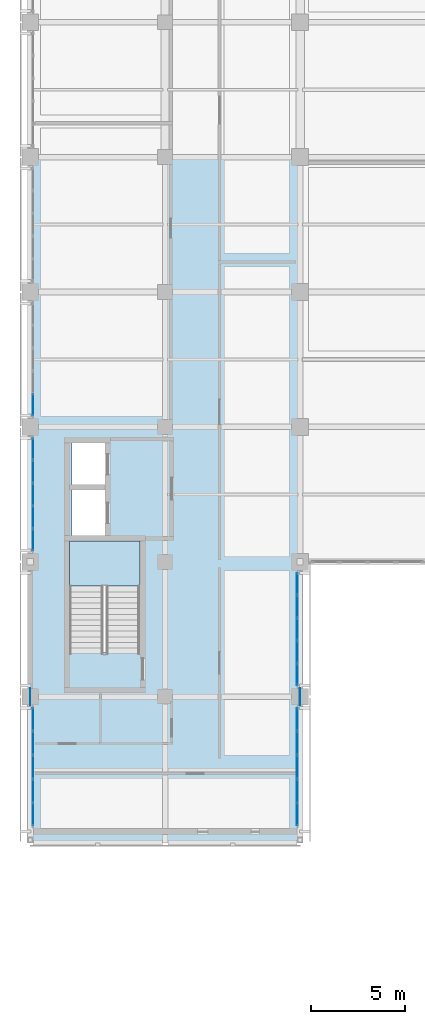
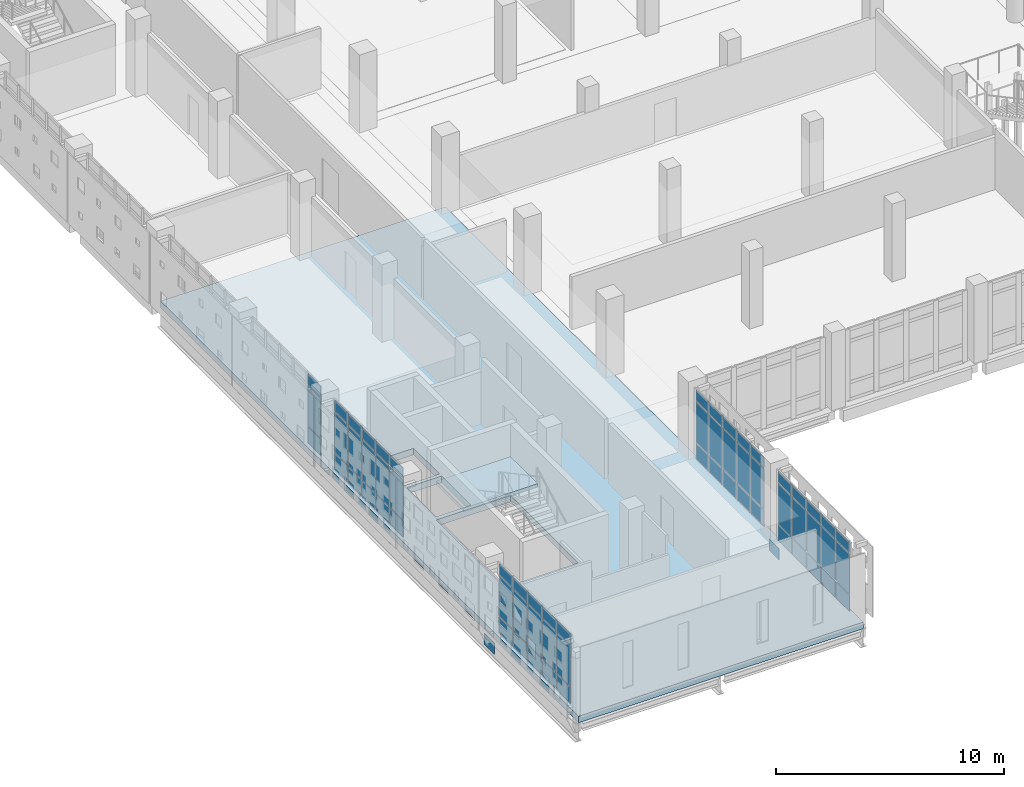
# One storey, part 22 of 57: 65 plates, 2 slabs, 6 elements without a shape of their own.
"""IFC4 building model written with IfcOpenShell, lengths in metres."""

import ifcopenshell
import ifcopenshell.guid

model = None  # the IFC model being written
_history = None  # IfcOwnerHistory: only IFC2X3 demands one
_inside = {}  # id of a spatial element -> (the spatial element, [elements in it])
_under = {}  # id of a project, library or spatial element -> (it, [spatial elements below it])
_declared = {}  # id of a project -> (the project, [libraries it declares])
_typed = {}  # id of a type object -> (the type object, [elements of that type])
_made_of = {}  # id of a material, layer set ... -> (it, [elements and type objects made of it])


def new_model(schema):
    """Start an empty IFC model of exactly this schema.

    Asked for "IFC4X3", IfcOpenShell would pick the latest addendum, in which some entities
    have other attributes; the version numbers below select the first issue.
    IFC2X3 requires an IfcOwnerHistory on every rooted entity: one is made here for all.
    """
    global model, _history
    if schema == "IFC4X3":
        model = ifcopenshell.file(schema_version=(4, 3, 0, 0))
    else:
        model = ifcopenshell.file(schema=schema)
    _inside.clear()
    _under.clear()
    _declared.clear()
    _typed.clear()
    _made_of.clear()
    _history = None
    if model.schema == "IFC2X3":
        org = make("IfcOrganization", Name="unknown")
        user = make(
            "IfcPersonAndOrganization",
            ThePerson=make("IfcPerson", FamilyName="unknown"),
            TheOrganization=org,
        )
        app = make(
            "IfcApplication",
            ApplicationDeveloper=org,
            Version="unknown",
            ApplicationFullName="unknown",
            ApplicationIdentifier="unknown",
        )
        _history = make(
            "IfcOwnerHistory",
            OwningUser=user,
            OwningApplication=app,
            ChangeAction="ADDED",
            CreationDate=0,
        )
    return model


def make(cls, **values):
    """One entity of the class cls with the attributes given. An attribute that is None is left unset."""
    return model.create_entity(
        cls, **{name: value for name, value in values.items() if value is not None}
    )


def rooted(cls, **values):
    """An entity with a GlobalId (a new one), such as an element, a storey or a relation."""
    return make(cls, GlobalId=ifcopenshell.guid.new(), OwnerHistory=_history, **values)


def si_unit(unit_type, name, prefix=None):
    """IfcSIUnit, for example si_unit("LENGTHUNIT", "METRE", prefix="MILLI")."""
    return make("IfcSIUnit", UnitType=unit_type, Prefix=prefix, Name=name)


def assignment(units):
    """IfcUnitAssignment: the units of a project."""
    return None if units is None else make("IfcUnitAssignment", Units=units)


def point(xyz):
    """IfcCartesianPoint."""
    return None if xyz is None else make("IfcCartesianPoint", Coordinates=xyz)


def direction(xyz):
    """IfcDirection."""
    return None if xyz is None else make("IfcDirection", DirectionRatios=xyz)


def frame(location, z_axis=None, x_axis=None):
    """IfcAxis2Placement3D, a coordinate frame: its origin and axes. An axis left out is left unset."""
    return make(
        "IfcAxis2Placement3D",
        Location=point(location),
        Axis=direction(z_axis),
        RefDirection=direction(x_axis),
    )


def frame_2d(location, x_axis=None):
    """IfcAxis2Placement2D, a coordinate frame in the plane: its origin and x axis."""
    return make(
        "IfcAxis2Placement2D", Location=point(location), RefDirection=direction(x_axis)
    )


def origin():
    """The frame at (0, 0, 0) with its axes left unset."""
    return frame((0.0, 0.0, 0.0))


def origin_2d():
    """The frame at (0, 0) in the plane with its x axis left unset."""
    return frame_2d((0.0, 0.0))


def place(relative_to, where):
    """IfcLocalPlacement: puts the frame where relative to a parent placement (None: the world)."""
    return make(
        "IfcLocalPlacement", PlacementRelTo=relative_to, RelativePlacement=where
    )


def context(
    kind, dimensions, precision=None, world=None, true_north=None, identifier=None
):
    """IfcGeometricRepresentationContext, for example the 3D "Model" context."""
    return make(
        "IfcGeometricRepresentationContext",
        ContextIdentifier=identifier,
        ContextType=kind,
        CoordinateSpaceDimension=dimensions,
        Precision=precision,
        WorldCoordinateSystem=world,
        TrueNorth=true_north,
    )


def subcontext(parent, identifier, kind, view, scale=None):
    """IfcGeometricRepresentationSubContext, for example "Body" below "Model"."""
    return make(
        "IfcGeometricRepresentationSubContext",
        ContextIdentifier=identifier,
        ContextType=kind,
        ParentContext=parent,
        TargetScale=scale,
        TargetView=view,
    )


def project(units=None, contexts=None):
    """IfcProject with its units and contexts."""
    return rooted(
        "IfcProject",
        Name="project",
        RepresentationContexts=contexts,
        UnitsInContext=assignment(units),
    )


def spatial(cls, under=None, at=None, **own):
    """A site, building, storey or space (cls), placed at a placement, below another one or the project."""
    s = rooted(cls, ObjectPlacement=at, **own)
    if under is not None:
        _under.setdefault(under.id(), (under, []))[1].append(s)
    return s


def polyline(points):
    """IfcPolyline through the points."""
    return make("IfcPolyline", Points=[point(p) for p in points])


def profile(cls, at=None, kind="AREA", **sizes):
    """A parametric profile (cls). Its sizes go by their IFC names, for example OverallWidth=200.0."""
    return make(cls, ProfileType=kind, Position=at, **sizes)


def rectangle(**sizes):
    """IfcRectangleProfileDef."""
    return profile("IfcRectangleProfileDef", **sizes)


def outline(outer, holes=None, kind="AREA"):
    """IfcArbitraryClosedProfileDef: a profile drawn as a closed curve; with holes, ...WithVoids."""
    if holes is None:
        return make("IfcArbitraryClosedProfileDef", ProfileType=kind, OuterCurve=outer)
    return make(
        "IfcArbitraryProfileDefWithVoids",
        ProfileType=kind,
        OuterCurve=outer,
        InnerCurves=holes,
    )


def extrude(swept, where, along, depth):
    """IfcExtrudedAreaSolid: the profile swept, set in the frame where, extruded along a direction by depth."""
    return make(
        "IfcExtrudedAreaSolid",
        SweptArea=swept,
        Position=where,
        ExtrudedDirection=direction(along),
        Depth=depth,
    )


def shape(context_of_items, identifier, shape_type, items):
    """IfcShapeRepresentation: the items that make up one representation, for example the "Body"."""
    return make(
        "IfcShapeRepresentation",
        ContextOfItems=context_of_items,
        RepresentationIdentifier=identifier,
        RepresentationType=shape_type,
        Items=items,
    )


def material(Name=None, Category=None):
    """IfcMaterial."""
    return make("IfcMaterial", Name=Name, Category=Category)


def layer(
    of_material, thickness, ventilated=None, Name=None, Category=None, Priority=None
):
    """IfcMaterialLayer: one layer of a wall or slab, of a material (None: an air gap)."""
    return make(
        "IfcMaterialLayer",
        Material=of_material,
        LayerThickness=thickness,
        IsVentilated=ventilated,
        Name=Name,
        Category=Category,
        Priority=Priority,
    )


def layer_set(layers, Name=None):
    """IfcMaterialLayerSet."""
    return make("IfcMaterialLayerSet", MaterialLayers=layers, LayerSetName=Name)


def made_of(thing, what):
    """Note that an element or type object is made of a material, layer set ...; save() writes the relation."""
    if what is not None:
        _made_of.setdefault(what.id(), (what, []))[1].append(thing)
    return thing


def type_object(cls, material=None, **own):
    """A type object (cls), such as IfcWallType, which elements share."""
    return made_of(rooted(cls, **own), material)


def element(
    cls,
    number,
    at=None,
    inside=None,
    cuts=None,
    type_object=None,
    material=None,
    context=None,
    identifier="Body",
    shape_type=None,
    held_by="IfcProductDefinitionShape",
    body=None,
    shapes=None,
    **own,
):
    """One element of the class cls, such as IfcWall. Its Tag is "e" and its number.

    at: its placement. inside: the storey or other place that contains it. cuts: it is an
    opening in that element (IfcRelVoidsElement). A single representation is given by context,
    identifier, shape_type and body (its items); several are given by shapes. held_by: the class
    of the entity that holds the representations. save() writes the other relations.
    """
    e = rooted(cls, Tag="e%d" % number, ObjectPlacement=at, **own)
    if body is not None:
        shapes = [shape(context, identifier, shape_type, body)]
    if shapes is not None:
        e.Representation = make(held_by, Representations=shapes)
    if inside is not None:
        _inside.setdefault(inside.id(), (inside, []))[1].append(e)
    if cuts is not None:
        rooted(
            "IfcRelVoidsElement", RelatingBuildingElement=cuts, RelatedOpeningElement=e
        )
    if type_object is not None:
        _typed.setdefault(type_object.id(), (type_object, []))[1].append(e)
    return made_of(e, material)


def aggregate(whole, parts):
    """IfcRelAggregates: a whole, such as a stair, and the parts it consists of."""
    return rooted("IfcRelAggregates", RelatingObject=whole, RelatedObjects=parts)


def save(model, path):
    """Write the relations noted so far, then the file.

    IfcRelAggregates (storeys below a building ...), IfcRelContainedInSpatialStructure (elements
    in a storey), IfcRelDefinesByType, IfcRelAssociatesMaterial and IfcRelDeclares: one each for
    every whole, place, type object, material and project.
    """
    for whole, parts in _under.values():
        aggregate(whole, parts)
    for where, things in _inside.values():
        rooted(
            "IfcRelContainedInSpatialStructure",
            RelatedElements=things,
            RelatingStructure=where,
        )
    for kind, things in _typed.values():
        rooted("IfcRelDefinesByType", RelatedObjects=things, RelatingType=kind)
    for what, things in _made_of.values():
        rooted("IfcRelAssociatesMaterial", RelatedObjects=things, RelatingMaterial=what)
    for by, libraries in _declared.values():
        rooted("IfcRelDeclares", RelatingContext=by, RelatedDefinitions=libraries)
    model.write(path)


model = new_model("IFC4")

# Units and contexts
model_context = context("Model", 3, precision=1e-05, world=origin(), true_north=direction((0.0, 1.0)))
body_context = subcontext(model_context, "Body", "Model", "MODEL_VIEW")
ifc_project = project(units=[si_unit("LENGTHUNIT", "METRE"), si_unit("AREAUNIT", "SQUARE_METRE"), si_unit("VOLUMEUNIT", "CUBIC_METRE"), si_unit("PLANEANGLEUNIT", "RADIAN"), si_unit("MASSUNIT", "GRAM", prefix="KILO")], contexts=[model_context])

# Site, building, storey
site_placement = place(None, origin())
site = spatial("IfcSite", under=ifc_project, at=site_placement, CompositionType="ELEMENT")
building_placement = place(site_placement, origin())
building = spatial("IfcBuilding", under=site, at=building_placement, Name="Valkovuoma Quantum and Materials Research Institute", CompositionType="ELEMENT")
storey_placement = place(building_placement, frame((0.0, 0.0, 4.800048828125)))
storey = spatial("IfcBuildingStorey", under=building, at=storey_placement, Name="L01", CompositionType="ELEMENT", Elevation=4.800048828125)

# Curtain wall, plates
ifc_material_1 = material(Name="Thermally broken aluminium and triple low-E glazing", Category="aluminium")
ifc_layer_1 = layer(ifc_material_1, 0.219970703125)
ifc_layer_set_1 = layer_set([ifc_layer_1], Name="Thermally broken aluminium and triple low-E glazing")
curtain_wall_type = type_object("IfcCurtainWallType", Name="CW-CW-01", PredefinedType="NOTDEFINED", material=ifc_layer_set_1)
curtain_wall_1_placement = place(storey_placement, origin())
curtain_wall_1 = element("IfcCurtainWall", 1, at=curtain_wall_1_placement, inside=storey, type_object=curtain_wall_type, Name="L01 curtain wall 008", PredefinedType="NOTDEFINED")
ifc_material_2 = material(Name="Triple low-E argon insulating glass", Category="glass")
ifc_layer_2 = layer(ifc_material_2, 0.035888671875)
ifc_layer_set_2 = layer_set([ifc_layer_2], Name="Triple low-E argon insulating glass")
plate_type_1 = type_object("IfcPlateType", Name="CWPanel-CWP-01", PredefinedType="CURTAIN_PANEL", material=ifc_layer_set_2)
plate_1_placement = place(storey_placement, frame((0.14990234375, 22.521728515625, 0.06494140625), z_axis=(0.0, 0.0, 1.0), x_axis=(0.0, 1.0, 0.0)))
plate_1 = element("IfcPlate", 2, at=plate_1_placement, type_object=plate_type_1, Name="CW-01 panel 1.1", PredefinedType="CURTAIN_PANEL", context=body_context, shape_type="SweptSolid", body=[
    extrude(rectangle(XDim=1.177490234375, YDim=0.035888671875, at=origin_2d()), origin(), (0.0, 0.0, 1.0), 0.8525390625),
])
plate_2_placement = place(storey_placement, frame((0.14990234375, 22.521728515625, 0.982421875), z_axis=(0.0, 0.0, 1.0), x_axis=(0.0, 1.0, 0.0)))
plate_2 = element("IfcPlate", 3, at=plate_2_placement, type_object=plate_type_1, Name="CW-01 panel 1.2", PredefinedType="CURTAIN_PANEL", context=body_context, shape_type="SweptSolid", body=[
    extrude(rectangle(XDim=1.177490234375, YDim=0.035888671875, at=origin_2d()), origin(), (0.0, 0.0, 1.0), 2.14501953125),
])
plate_3_placement = place(storey_placement, frame((0.14990234375, 22.521728515625, 3.1923828125), z_axis=(0.0, 0.0, 1.0), x_axis=(0.0, 1.0, 0.0)))
plate_3 = element("IfcPlate", 4, at=plate_3_placement, type_object=plate_type_1, Name="CW-01 panel 1.3", PredefinedType="CURTAIN_PANEL", context=body_context, shape_type="SweptSolid", body=[
    extrude(rectangle(XDim=1.177490234375, YDim=0.035888671875, at=origin_2d()), origin(), (0.0, 0.0, 1.0), 0.552490234375),
])
plate_4_placement = place(storey_placement, frame((0.14990234375, 23.780517578125, 0.06494140625), z_axis=(0.0, 0.0, 1.0), x_axis=(0.0, 1.0, 0.0)))
plate_4 = element("IfcPlate", 5, at=plate_4_placement, type_object=plate_type_1, Name="CW-01 panel 2.1", PredefinedType="CURTAIN_PANEL", context=body_context, shape_type="SweptSolid", body=[
    extrude(rectangle(XDim=1.2099609375, YDim=0.035888671875, at=origin_2d()), origin(), (0.0, 0.0, 1.0), 0.8525390625),
])
plate_5_placement = place(storey_placement, frame((0.14990234375, 23.780517578125, 0.982421875), z_axis=(0.0, 0.0, 1.0), x_axis=(0.0, 1.0, 0.0)))
plate_5 = element("IfcPlate", 6, at=plate_5_placement, type_object=plate_type_1, Name="CW-01 panel 2.2", PredefinedType="CURTAIN_PANEL", context=body_context, shape_type="SweptSolid", body=[
    extrude(rectangle(XDim=1.2099609375, YDim=0.035888671875, at=origin_2d()), origin(), (0.0, 0.0, 1.0), 2.14501953125),
])
plate_6_placement = place(storey_placement, frame((0.14990234375, 23.780517578125, 3.1923828125), z_axis=(0.0, 0.0, 1.0), x_axis=(0.0, 1.0, 0.0)))
plate_6 = element("IfcPlate", 7, at=plate_6_placement, type_object=plate_type_1, Name="CW-01 panel 2.3", PredefinedType="CURTAIN_PANEL", context=body_context, shape_type="SweptSolid", body=[
    extrude(rectangle(XDim=1.2099609375, YDim=0.035888671875, at=origin_2d()), origin(), (0.0, 0.0, 1.0), 0.552490234375),
])
plate_7_placement = place(storey_placement, frame((0.14990234375, 25.055419921875, 0.06494140625), z_axis=(0.0, 0.0, 1.0), x_axis=(0.0, 1.0, 0.0)))
plate_7 = element("IfcPlate", 8, at=plate_7_placement, type_object=plate_type_1, Name="CW-01 panel 3.1", PredefinedType="CURTAIN_PANEL", context=body_context, shape_type="SweptSolid", body=[
    extrude(rectangle(XDim=1.2099609375, YDim=0.035888671875, at=origin_2d()), origin(), (0.0, 0.0, 1.0), 0.8525390625),
])
plate_8_placement = place(storey_placement, frame((0.14990234375, 25.055419921875, 0.982421875), z_axis=(0.0, 0.0, 1.0), x_axis=(0.0, 1.0, 0.0)))
plate_8 = element("IfcPlate", 9, at=plate_8_placement, type_object=plate_type_1, Name="CW-01 panel 3.2", PredefinedType="CURTAIN_PANEL", context=body_context, shape_type="SweptSolid", body=[
    extrude(rectangle(XDim=1.2099609375, YDim=0.035888671875, at=origin_2d()), origin(), (0.0, 0.0, 1.0), 2.14501953125),
])
plate_9_placement = place(storey_placement, frame((0.14990234375, 25.055419921875, 3.1923828125), z_axis=(0.0, 0.0, 1.0), x_axis=(0.0, 1.0, 0.0)))
plate_9 = element("IfcPlate", 10, at=plate_9_placement, type_object=plate_type_1, Name="CW-01 panel 3.3", PredefinedType="CURTAIN_PANEL", context=body_context, shape_type="SweptSolid", body=[
    extrude(rectangle(XDim=1.2099609375, YDim=0.035888671875, at=origin_2d()), origin(), (0.0, 0.0, 1.0), 0.552490234375),
])
plate_10_placement = place(storey_placement, frame((0.14990234375, 26.330322265625, 0.06494140625), z_axis=(0.0, 0.0, 1.0), x_axis=(0.0, 1.0, 0.0)))
plate_10 = element("IfcPlate", 11, at=plate_10_placement, type_object=plate_type_1, Name="CW-01 panel 4.1", PredefinedType="CURTAIN_PANEL", context=body_context, shape_type="SweptSolid", body=[
    extrude(rectangle(XDim=1.2099609375, YDim=0.035888671875, at=origin_2d()), origin(), (0.0, 0.0, 1.0), 0.8525390625),
])
plate_11_placement = place(storey_placement, frame((0.14990234375, 26.330322265625, 0.982421875), z_axis=(0.0, 0.0, 1.0), x_axis=(0.0, 1.0, 0.0)))
plate_11 = element("IfcPlate", 12, at=plate_11_placement, type_object=plate_type_1, Name="CW-01 panel 4.2", PredefinedType="CURTAIN_PANEL", context=body_context, shape_type="SweptSolid", body=[
    extrude(rectangle(XDim=1.2099609375, YDim=0.035888671875, at=origin_2d()), origin(), (0.0, 0.0, 1.0), 2.14501953125),
])
plate_12_placement = place(storey_placement, frame((0.14990234375, 26.330322265625, 3.1923828125), z_axis=(0.0, 0.0, 1.0), x_axis=(0.0, 1.0, 0.0)))
plate_12 = element("IfcPlate", 13, at=plate_12_placement, type_object=plate_type_1, Name="CW-01 panel 4.3", PredefinedType="CURTAIN_PANEL", context=body_context, shape_type="SweptSolid", body=[
    extrude(rectangle(XDim=1.2099609375, YDim=0.035888671875, at=origin_2d()), origin(), (0.0, 0.0, 1.0), 0.552490234375),
])
plate_13_placement = place(storey_placement, frame((0.14990234375, 27.589111328125, 0.06494140625), z_axis=(0.0, 0.0, 1.0), x_axis=(0.0, 1.0, 0.0)))
plate_13 = element("IfcPlate", 14, at=plate_13_placement, type_object=plate_type_1, Name="CW-01 panel 5.1", PredefinedType="CURTAIN_PANEL", context=body_context, shape_type="SweptSolid", body=[
    extrude(rectangle(XDim=1.177490234375, YDim=0.035888671875, at=origin_2d()), origin(), (0.0, 0.0, 1.0), 0.8525390625),
])
plate_14_placement = place(storey_placement, frame((0.14990234375, 27.589111328125, 0.982421875), z_axis=(0.0, 0.0, 1.0), x_axis=(0.0, 1.0, 0.0)))
plate_14 = element("IfcPlate", 15, at=plate_14_placement, type_object=plate_type_1, Name="CW-01 panel 5.2", PredefinedType="CURTAIN_PANEL", context=body_context, shape_type="SweptSolid", body=[
    extrude(rectangle(XDim=1.177490234375, YDim=0.035888671875, at=origin_2d()), origin(), (0.0, 0.0, 1.0), 2.14501953125),
])
plate_15_placement = place(storey_placement, frame((0.14990234375, 27.589111328125, 3.1923828125), z_axis=(0.0, 0.0, 1.0), x_axis=(0.0, 1.0, 0.0)))
plate_15 = element("IfcPlate", 16, at=plate_15_placement, type_object=plate_type_1, Name="CW-01 panel 5.3", PredefinedType="CURTAIN_PANEL", context=body_context, shape_type="SweptSolid", body=[
    extrude(rectangle(XDim=1.177490234375, YDim=0.035888671875, at=origin_2d()), origin(), (0.0, 0.0, 1.0), 0.552490234375),
])
aggregate(curtain_wall_1, [plate_1, plate_2, plate_3, plate_4, plate_5, plate_6, plate_7, plate_8, plate_9, plate_10, plate_11, plate_12, plate_13, plate_14, plate_15])

curtain_wall_2_placement = place(storey_placement, origin())
curtain_wall_2 = element("IfcCurtainWall", 17, at=curtain_wall_2_placement, inside=storey, type_object=curtain_wall_type, Name="L01 curtain wall 011", PredefinedType="NOTDEFINED")
plate_16_placement = place(storey_placement, frame((0.14990234375, 37.181884765625, 0.06494140625), z_axis=(0.0, 0.0, 1.0), x_axis=(0.0, 1.0, 0.0)))
plate_16 = element("IfcPlate", 18, at=plate_16_placement, type_object=plate_type_1, Name="CW-01 panel 1.1", PredefinedType="CURTAIN_PANEL", context=body_context, shape_type="SweptSolid", body=[
    extrude(rectangle(XDim=1.11962890625, YDim=0.035888671875, at=origin_2d()), origin(), (0.0, 0.0, 1.0), 0.8525390625),
])
plate_17_placement = place(storey_placement, frame((0.14990234375, 37.181884765625, 0.982421875), z_axis=(0.0, 0.0, 1.0), x_axis=(0.0, 1.0, 0.0)))
plate_17 = element("IfcPlate", 19, at=plate_17_placement, type_object=plate_type_1, Name="CW-01 panel 1.2", PredefinedType="CURTAIN_PANEL", context=body_context, shape_type="SweptSolid", body=[
    extrude(rectangle(XDim=1.11962890625, YDim=0.035888671875, at=origin_2d()), origin(), (0.0, 0.0, 1.0), 2.14501953125),
])
plate_18_placement = place(storey_placement, frame((0.14990234375, 37.181884765625, 3.1923828125), z_axis=(0.0, 0.0, 1.0), x_axis=(0.0, 1.0, 0.0)))
plate_18 = element("IfcPlate", 20, at=plate_18_placement, type_object=plate_type_1, Name="CW-01 panel 1.3", PredefinedType="CURTAIN_PANEL", context=body_context, shape_type="SweptSolid", body=[
    extrude(rectangle(XDim=1.11962890625, YDim=0.035888671875, at=origin_2d()), origin(), (0.0, 0.0, 1.0), 0.552490234375),
])
plate_19_placement = place(storey_placement, frame((0.14990234375, 38.3828125, 0.06494140625), z_axis=(0.0, 0.0, 1.0), x_axis=(0.0, 1.0, 0.0)))
plate_19 = element("IfcPlate", 21, at=plate_19_placement, type_object=plate_type_1, Name="CW-01 panel 2.1", PredefinedType="CURTAIN_PANEL", context=body_context, shape_type="SweptSolid", body=[
    extrude(rectangle(XDim=1.152099609375, YDim=0.035888671875, at=origin_2d()), origin(), (0.0, 0.0, 1.0), 0.8525390625),
])
plate_20_placement = place(storey_placement, frame((0.14990234375, 38.3828125, 0.982421875), z_axis=(0.0, 0.0, 1.0), x_axis=(0.0, 1.0, 0.0)))
plate_20 = element("IfcPlate", 22, at=plate_20_placement, type_object=plate_type_1, Name="CW-01 panel 2.2", PredefinedType="CURTAIN_PANEL", context=body_context, shape_type="SweptSolid", body=[
    extrude(rectangle(XDim=1.152099609375, YDim=0.035888671875, at=origin_2d()), origin(), (0.0, 0.0, 1.0), 2.14501953125),
])
plate_21_placement = place(storey_placement, frame((0.14990234375, 38.3828125, 3.1923828125), z_axis=(0.0, 0.0, 1.0), x_axis=(0.0, 1.0, 0.0)))
plate_21 = element("IfcPlate", 23, at=plate_21_placement, type_object=plate_type_1, Name="CW-01 panel 2.3", PredefinedType="CURTAIN_PANEL", context=body_context, shape_type="SweptSolid", body=[
    extrude(rectangle(XDim=1.152099609375, YDim=0.035888671875, at=origin_2d()), origin(), (0.0, 0.0, 1.0), 0.552490234375),
])
plate_22_placement = place(storey_placement, frame((0.14990234375, 39.60009765625, 0.06494140625), z_axis=(0.0, 0.0, 1.0), x_axis=(0.0, 1.0, 0.0)))
plate_22 = element("IfcPlate", 24, at=plate_22_placement, type_object=plate_type_1, Name="CW-01 panel 3.1", PredefinedType="CURTAIN_PANEL", context=body_context, shape_type="SweptSolid", body=[
    extrude(rectangle(XDim=1.152099609375, YDim=0.035888671875, at=origin_2d()), origin(), (0.0, 0.0, 1.0), 0.8525390625),
])
plate_23_placement = place(storey_placement, frame((0.14990234375, 39.60009765625, 0.982421875), z_axis=(0.0, 0.0, 1.0), x_axis=(0.0, 1.0, 0.0)))
plate_23 = element("IfcPlate", 25, at=plate_23_placement, type_object=plate_type_1, Name="CW-01 panel 3.2", PredefinedType="CURTAIN_PANEL", context=body_context, shape_type="SweptSolid", body=[
    extrude(rectangle(XDim=1.152099609375, YDim=0.035888671875, at=origin_2d()), origin(), (0.0, 0.0, 1.0), 2.14501953125),
])
plate_24_placement = place(storey_placement, frame((0.14990234375, 39.60009765625, 3.1923828125), z_axis=(0.0, 0.0, 1.0), x_axis=(0.0, 1.0, 0.0)))
plate_24 = element("IfcPlate", 26, at=plate_24_placement, type_object=plate_type_1, Name="CW-01 panel 3.3", PredefinedType="CURTAIN_PANEL", context=body_context, shape_type="SweptSolid", body=[
    extrude(rectangle(XDim=1.152099609375, YDim=0.035888671875, at=origin_2d()), origin(), (0.0, 0.0, 1.0), 0.552490234375),
])
plate_25_placement = place(storey_placement, frame((0.14990234375, 40.817138671875, 0.06494140625), z_axis=(0.0, 0.0, 1.0), x_axis=(0.0, 1.0, 0.0)))
plate_25 = element("IfcPlate", 27, at=plate_25_placement, type_object=plate_type_1, Name="CW-01 panel 4.1", PredefinedType="CURTAIN_PANEL", context=body_context, shape_type="SweptSolid", body=[
    extrude(rectangle(XDim=1.152099609375, YDim=0.035888671875, at=origin_2d()), origin(), (0.0, 0.0, 1.0), 0.8525390625),
])
plate_26_placement = place(storey_placement, frame((0.14990234375, 40.817138671875, 0.982421875), z_axis=(0.0, 0.0, 1.0), x_axis=(0.0, 1.0, 0.0)))
plate_26 = element("IfcPlate", 28, at=plate_26_placement, type_object=plate_type_1, Name="CW-01 panel 4.2", PredefinedType="CURTAIN_PANEL", context=body_context, shape_type="SweptSolid", body=[
    extrude(rectangle(XDim=1.152099609375, YDim=0.035888671875, at=origin_2d()), origin(), (0.0, 0.0, 1.0), 2.14501953125),
])
plate_27_placement = place(storey_placement, frame((0.14990234375, 40.817138671875, 3.1923828125), z_axis=(0.0, 0.0, 1.0), x_axis=(0.0, 1.0, 0.0)))
plate_27 = element("IfcPlate", 29, at=plate_27_placement, type_object=plate_type_1, Name="CW-01 panel 4.3", PredefinedType="CURTAIN_PANEL", context=body_context, shape_type="SweptSolid", body=[
    extrude(rectangle(XDim=1.152099609375, YDim=0.035888671875, at=origin_2d()), origin(), (0.0, 0.0, 1.0), 0.552490234375),
])
plate_28_placement = place(storey_placement, frame((0.14990234375, 42.01806640625, 0.06494140625), z_axis=(0.0, 0.0, 1.0), x_axis=(0.0, 1.0, 0.0)))
plate_28 = element("IfcPlate", 30, at=plate_28_placement, type_object=plate_type_1, Name="CW-01 panel 5.1", PredefinedType="CURTAIN_PANEL", context=body_context, shape_type="SweptSolid", body=[
    extrude(rectangle(XDim=1.11962890625, YDim=0.035888671875, at=origin_2d()), origin(), (0.0, 0.0, 1.0), 0.8525390625),
])
plate_29_placement = place(storey_placement, frame((0.14990234375, 42.01806640625, 0.982421875), z_axis=(0.0, 0.0, 1.0), x_axis=(0.0, 1.0, 0.0)))
plate_29 = element("IfcPlate", 31, at=plate_29_placement, type_object=plate_type_1, Name="CW-01 panel 5.2", PredefinedType="CURTAIN_PANEL", context=body_context, shape_type="SweptSolid", body=[
    extrude(rectangle(XDim=1.11962890625, YDim=0.035888671875, at=origin_2d()), origin(), (0.0, 0.0, 1.0), 2.14501953125),
])
plate_30_placement = place(storey_placement, frame((0.14990234375, 42.01806640625, 3.1923828125), z_axis=(0.0, 0.0, 1.0), x_axis=(0.0, 1.0, 0.0)))
plate_30 = element("IfcPlate", 32, at=plate_30_placement, type_object=plate_type_1, Name="CW-01 panel 5.3", PredefinedType="CURTAIN_PANEL", context=body_context, shape_type="SweptSolid", body=[
    extrude(rectangle(XDim=1.11962890625, YDim=0.035888671875, at=origin_2d()), origin(), (0.0, 0.0, 1.0), 0.552490234375),
])
aggregate(curtain_wall_2, [plate_16, plate_17, plate_18, plate_19, plate_20, plate_21, plate_22, plate_23, plate_24, plate_25, plate_26, plate_27, plate_28, plate_29, plate_30])

curtain_wall_3_placement = place(storey_placement, origin())
curtain_wall_3 = element("IfcCurtainWall", 33, at=curtain_wall_3_placement, inside=storey, type_object=curtain_wall_type, Name="L01 curtain wall 012", PredefinedType="NOTDEFINED")
plate_31_placement = place(storey_placement, frame((0.14990234375, 44.3818359375, 0.06494140625), z_axis=(0.0, 0.0, 1.0), x_axis=(0.0, 1.0, 0.0)))
plate_31 = element("IfcPlate", 34, at=plate_31_placement, type_object=plate_type_1, Name="CW-01 panel 1.1", PredefinedType="CURTAIN_PANEL", context=body_context, shape_type="SweptSolid", body=[
    extrude(rectangle(XDim=1.11962890625, YDim=0.035888671875, at=origin_2d()), origin(), (0.0, 0.0, 1.0), 0.8525390625),
])
plate_32_placement = place(storey_placement, frame((0.14990234375, 44.3818359375, 0.982421875), z_axis=(0.0, 0.0, 1.0), x_axis=(0.0, 1.0, 0.0)))
plate_32 = element("IfcPlate", 35, at=plate_32_placement, type_object=plate_type_1, Name="CW-01 panel 1.2", PredefinedType="CURTAIN_PANEL", context=body_context, shape_type="SweptSolid", body=[
    extrude(rectangle(XDim=1.11962890625, YDim=0.035888671875, at=origin_2d()), origin(), (0.0, 0.0, 1.0), 2.14501953125),
])
plate_33_placement = place(storey_placement, frame((0.14990234375, 44.3818359375, 3.1923828125), z_axis=(0.0, 0.0, 1.0), x_axis=(0.0, 1.0, 0.0)))
plate_33 = element("IfcPlate", 36, at=plate_33_placement, type_object=plate_type_1, Name="CW-01 panel 1.3", PredefinedType="CURTAIN_PANEL", context=body_context, shape_type="SweptSolid", body=[
    extrude(rectangle(XDim=1.11962890625, YDim=0.035888671875, at=origin_2d()), origin(), (0.0, 0.0, 1.0), 0.552490234375),
])
aggregate(curtain_wall_3, [plate_31, plate_32, plate_33])

curtain_wall_4_placement = place(storey_placement, origin())
curtain_wall_4 = element("IfcCurtainWall", 37, at=curtain_wall_4_placement, inside=storey, type_object=curtain_wall_type, Name="L01 curtain wall 009", PredefinedType="NOTDEFINED")
ifc_material_3 = material(Name="Triple low-E argon insulating glass", Category="glass")
ifc_layer_3 = layer(ifc_material_3, 0.0419921875)
ifc_layer_set_3 = layer_set([ifc_layer_3], Name="Triple low-E argon insulating glass")
plate_type_2 = type_object("IfcPlateType", Name="CWPanel-CWP-02", PredefinedType="CURTAIN_PANEL", material=ifc_layer_set_3)
plate_34_placement = place(storey_placement, frame((14.25, 22.521728515625, 0.06494140625), z_axis=(0.0, 0.0, 1.0), x_axis=(0.0, 1.0, 0.0)))
plate_34 = element("IfcPlate", 38, at=plate_34_placement, type_object=plate_type_2, Name="CW-01 panel 1.1", PredefinedType="CURTAIN_PANEL", context=body_context, shape_type="SweptSolid", body=[
    extrude(rectangle(XDim=1.177490234375, YDim=0.0419921875, at=origin_2d()), origin(), (0.0, 0.0, 1.0), 0.8525390625),
])
plate_35_placement = place(storey_placement, frame((14.25, 22.521728515625, 0.982421875), z_axis=(0.0, 0.0, 1.0), x_axis=(0.0, 1.0, 0.0)))
plate_35 = element("IfcPlate", 39, at=plate_35_placement, type_object=plate_type_2, Name="CW-01 panel 1.2", PredefinedType="CURTAIN_PANEL", context=body_context, shape_type="SweptSolid", body=[
    extrude(rectangle(XDim=1.177490234375, YDim=0.0419921875, at=origin_2d()), origin(), (0.0, 0.0, 1.0), 2.14501953125),
])
plate_36_placement = place(storey_placement, frame((14.25, 22.521728515625, 3.1923828125), z_axis=(0.0, 0.0, 1.0), x_axis=(0.0, 1.0, 0.0)))
plate_36 = element("IfcPlate", 40, at=plate_36_placement, type_object=plate_type_2, Name="CW-01 panel 1.3", PredefinedType="CURTAIN_PANEL", context=body_context, shape_type="SweptSolid", body=[
    extrude(rectangle(XDim=1.177490234375, YDim=0.0419921875, at=origin_2d()), origin(), (0.0, 0.0, 1.0), 0.552490234375),
])
plate_37_placement = place(storey_placement, frame((14.25, 23.780517578125, 0.06494140625), z_axis=(0.0, 0.0, 1.0), x_axis=(0.0, 1.0, 0.0)))
plate_37 = element("IfcPlate", 41, at=plate_37_placement, type_object=plate_type_2, Name="CW-01 panel 2.1", PredefinedType="CURTAIN_PANEL", context=body_context, shape_type="SweptSolid", body=[
    extrude(rectangle(XDim=1.2099609375, YDim=0.0419921875, at=origin_2d()), origin(), (0.0, 0.0, 1.0), 0.8525390625),
])
plate_38_placement = place(storey_placement, frame((14.25, 23.780517578125, 0.982421875), z_axis=(0.0, 0.0, 1.0), x_axis=(0.0, 1.0, 0.0)))
plate_38 = element("IfcPlate", 42, at=plate_38_placement, type_object=plate_type_2, Name="CW-01 panel 2.2", PredefinedType="CURTAIN_PANEL", context=body_context, shape_type="SweptSolid", body=[
    extrude(rectangle(XDim=1.2099609375, YDim=0.0419921875, at=origin_2d()), origin(), (0.0, 0.0, 1.0), 2.14501953125),
])
plate_39_placement = place(storey_placement, frame((14.25, 23.780517578125, 3.1923828125), z_axis=(0.0, 0.0, 1.0), x_axis=(0.0, 1.0, 0.0)))
plate_39 = element("IfcPlate", 43, at=plate_39_placement, type_object=plate_type_2, Name="CW-01 panel 2.3", PredefinedType="CURTAIN_PANEL", context=body_context, shape_type="SweptSolid", body=[
    extrude(rectangle(XDim=1.2099609375, YDim=0.0419921875, at=origin_2d()), origin(), (0.0, 0.0, 1.0), 0.552490234375),
])
plate_40_placement = place(storey_placement, frame((14.25, 25.055419921875, 0.06494140625), z_axis=(0.0, 0.0, 1.0), x_axis=(0.0, 1.0, 0.0)))
plate_40 = element("IfcPlate", 44, at=plate_40_placement, type_object=plate_type_2, Name="CW-01 panel 3.1", PredefinedType="CURTAIN_PANEL", context=body_context, shape_type="SweptSolid", body=[
    extrude(rectangle(XDim=1.2099609375, YDim=0.0419921875, at=origin_2d()), origin(), (0.0, 0.0, 1.0), 0.8525390625),
])
plate_41_placement = place(storey_placement, frame((14.25, 25.055419921875, 0.982421875), z_axis=(0.0, 0.0, 1.0), x_axis=(0.0, 1.0, 0.0)))
plate_41 = element("IfcPlate", 45, at=plate_41_placement, type_object=plate_type_2, Name="CW-01 panel 3.2", PredefinedType="CURTAIN_PANEL", context=body_context, shape_type="SweptSolid", body=[
    extrude(rectangle(XDim=1.2099609375, YDim=0.0419921875, at=origin_2d()), origin(), (0.0, 0.0, 1.0), 2.14501953125),
])
plate_42_placement = place(storey_placement, frame((14.25, 25.055419921875, 3.1923828125), z_axis=(0.0, 0.0, 1.0), x_axis=(0.0, 1.0, 0.0)))
plate_42 = element("IfcPlate", 46, at=plate_42_placement, type_object=plate_type_2, Name="CW-01 panel 3.3", PredefinedType="CURTAIN_PANEL", context=body_context, shape_type="SweptSolid", body=[
    extrude(rectangle(XDim=1.2099609375, YDim=0.0419921875, at=origin_2d()), origin(), (0.0, 0.0, 1.0), 0.552490234375),
])
plate_43_placement = place(storey_placement, frame((14.25, 26.330322265625, 0.06494140625), z_axis=(0.0, 0.0, 1.0), x_axis=(0.0, 1.0, 0.0)))
plate_43 = element("IfcPlate", 47, at=plate_43_placement, type_object=plate_type_2, Name="CW-01 panel 4.1", PredefinedType="CURTAIN_PANEL", context=body_context, shape_type="SweptSolid", body=[
    extrude(rectangle(XDim=1.2099609375, YDim=0.0419921875, at=origin_2d()), origin(), (0.0, 0.0, 1.0), 0.8525390625),
])
plate_44_placement = place(storey_placement, frame((14.25, 26.330322265625, 0.982421875), z_axis=(0.0, 0.0, 1.0), x_axis=(0.0, 1.0, 0.0)))
plate_44 = element("IfcPlate", 48, at=plate_44_placement, type_object=plate_type_2, Name="CW-01 panel 4.2", PredefinedType="CURTAIN_PANEL", context=body_context, shape_type="SweptSolid", body=[
    extrude(rectangle(XDim=1.2099609375, YDim=0.0419921875, at=origin_2d()), origin(), (0.0, 0.0, 1.0), 2.14501953125),
])
plate_45_placement = place(storey_placement, frame((14.25, 26.330322265625, 3.1923828125), z_axis=(0.0, 0.0, 1.0), x_axis=(0.0, 1.0, 0.0)))
plate_45 = element("IfcPlate", 49, at=plate_45_placement, type_object=plate_type_2, Name="CW-01 panel 4.3", PredefinedType="CURTAIN_PANEL", context=body_context, shape_type="SweptSolid", body=[
    extrude(rectangle(XDim=1.2099609375, YDim=0.0419921875, at=origin_2d()), origin(), (0.0, 0.0, 1.0), 0.552490234375),
])
plate_46_placement = place(storey_placement, frame((14.25, 27.589111328125, 0.06494140625), z_axis=(0.0, 0.0, 1.0), x_axis=(0.0, 1.0, 0.0)))
plate_46 = element("IfcPlate", 50, at=plate_46_placement, type_object=plate_type_2, Name="CW-01 panel 5.1", PredefinedType="CURTAIN_PANEL", context=body_context, shape_type="SweptSolid", body=[
    extrude(rectangle(XDim=1.177490234375, YDim=0.0419921875, at=origin_2d()), origin(), (0.0, 0.0, 1.0), 0.8525390625),
])
plate_47_placement = place(storey_placement, frame((14.25, 27.589111328125, 0.982421875), z_axis=(0.0, 0.0, 1.0), x_axis=(0.0, 1.0, 0.0)))
plate_47 = element("IfcPlate", 51, at=plate_47_placement, type_object=plate_type_2, Name="CW-01 panel 5.2", PredefinedType="CURTAIN_PANEL", context=body_context, shape_type="SweptSolid", body=[
    extrude(rectangle(XDim=1.177490234375, YDim=0.0419921875, at=origin_2d()), origin(), (0.0, 0.0, 1.0), 2.14501953125),
])
plate_48_placement = place(storey_placement, frame((14.25, 27.589111328125, 3.1923828125), z_axis=(0.0, 0.0, 1.0), x_axis=(0.0, 1.0, 0.0)))
plate_48 = element("IfcPlate", 52, at=plate_48_placement, type_object=plate_type_2, Name="CW-01 panel 5.3", PredefinedType="CURTAIN_PANEL", context=body_context, shape_type="SweptSolid", body=[
    extrude(rectangle(XDim=1.177490234375, YDim=0.0419921875, at=origin_2d()), origin(), (0.0, 0.0, 1.0), 0.552490234375),
])
aggregate(curtain_wall_4, [plate_34, plate_35, plate_36, plate_37, plate_38, plate_39, plate_40, plate_41, plate_42, plate_43, plate_44, plate_45, plate_46, plate_47, plate_48])

curtain_wall_5_placement = place(storey_placement, origin())
curtain_wall_5 = element("IfcCurtainWall", 53, at=curtain_wall_5_placement, inside=storey, type_object=curtain_wall_type, Name="L01 curtain wall 010", PredefinedType="NOTDEFINED")
plate_49_placement = place(storey_placement, frame((14.25, 29.98193359375, 0.06494140625), z_axis=(0.0, 0.0, 1.0), x_axis=(0.0, 1.0, 0.0)))
plate_49 = element("IfcPlate", 54, at=plate_49_placement, type_object=plate_type_2, Name="CW-01 panel 1.1", PredefinedType="CURTAIN_PANEL", context=body_context, shape_type="SweptSolid", body=[
    extrude(rectangle(XDim=1.11962890625, YDim=0.0419921875, at=origin_2d()), origin(), (0.0, 0.0, 1.0), 0.8525390625),
])
plate_50_placement = place(storey_placement, frame((14.25, 29.98193359375, 0.982421875), z_axis=(0.0, 0.0, 1.0), x_axis=(0.0, 1.0, 0.0)))
plate_50 = element("IfcPlate", 55, at=plate_50_placement, type_object=plate_type_2, Name="CW-01 panel 1.2", PredefinedType="CURTAIN_PANEL", context=body_context, shape_type="SweptSolid", body=[
    extrude(rectangle(XDim=1.11962890625, YDim=0.0419921875, at=origin_2d()), origin(), (0.0, 0.0, 1.0), 2.14501953125),
])
plate_51_placement = place(storey_placement, frame((14.25, 29.98193359375, 3.1923828125), z_axis=(0.0, 0.0, 1.0), x_axis=(0.0, 1.0, 0.0)))
plate_51 = element("IfcPlate", 56, at=plate_51_placement, type_object=plate_type_2, Name="CW-01 panel 1.3", PredefinedType="CURTAIN_PANEL", context=body_context, shape_type="SweptSolid", body=[
    extrude(rectangle(XDim=1.11962890625, YDim=0.0419921875, at=origin_2d()), origin(), (0.0, 0.0, 1.0), 0.552490234375),
])
plate_52_placement = place(storey_placement, frame((14.25, 31.182861328125, 0.06494140625), z_axis=(0.0, 0.0, 1.0), x_axis=(0.0, 1.0, 0.0)))
plate_52 = element("IfcPlate", 57, at=plate_52_placement, type_object=plate_type_2, Name="CW-01 panel 2.1", PredefinedType="CURTAIN_PANEL", context=body_context, shape_type="SweptSolid", body=[
    extrude(rectangle(XDim=1.152099609375, YDim=0.0419921875, at=origin_2d()), origin(), (0.0, 0.0, 1.0), 0.8525390625),
])
plate_53_placement = place(storey_placement, frame((14.25, 31.182861328125, 0.982421875), z_axis=(0.0, 0.0, 1.0), x_axis=(0.0, 1.0, 0.0)))
plate_53 = element("IfcPlate", 58, at=plate_53_placement, type_object=plate_type_2, Name="CW-01 panel 2.2", PredefinedType="CURTAIN_PANEL", context=body_context, shape_type="SweptSolid", body=[
    extrude(rectangle(XDim=1.152099609375, YDim=0.0419921875, at=origin_2d()), origin(), (0.0, 0.0, 1.0), 2.14501953125),
])
plate_54_placement = place(storey_placement, frame((14.25, 31.182861328125, 3.1923828125), z_axis=(0.0, 0.0, 1.0), x_axis=(0.0, 1.0, 0.0)))
plate_54 = element("IfcPlate", 59, at=plate_54_placement, type_object=plate_type_2, Name="CW-01 panel 2.3", PredefinedType="CURTAIN_PANEL", context=body_context, shape_type="SweptSolid", body=[
    extrude(rectangle(XDim=1.152099609375, YDim=0.0419921875, at=origin_2d()), origin(), (0.0, 0.0, 1.0), 0.552490234375),
])
plate_55_placement = place(storey_placement, frame((14.25, 32.39990234375, 0.06494140625), z_axis=(0.0, 0.0, 1.0), x_axis=(0.0, 1.0, 0.0)))
plate_55 = element("IfcPlate", 60, at=plate_55_placement, type_object=plate_type_2, Name="CW-01 panel 3.1", PredefinedType="CURTAIN_PANEL", context=body_context, shape_type="SweptSolid", body=[
    extrude(rectangle(XDim=1.152099609375, YDim=0.0419921875, at=origin_2d()), origin(), (0.0, 0.0, 1.0), 0.8525390625),
])
plate_56_placement = place(storey_placement, frame((14.25, 32.39990234375, 0.982421875), z_axis=(0.0, 0.0, 1.0), x_axis=(0.0, 1.0, 0.0)))
plate_56 = element("IfcPlate", 61, at=plate_56_placement, type_object=plate_type_2, Name="CW-01 panel 3.2", PredefinedType="CURTAIN_PANEL", context=body_context, shape_type="SweptSolid", body=[
    extrude(rectangle(XDim=1.152099609375, YDim=0.0419921875, at=origin_2d()), origin(), (0.0, 0.0, 1.0), 2.14501953125),
])
plate_57_placement = place(storey_placement, frame((14.25, 32.39990234375, 3.1923828125), z_axis=(0.0, 0.0, 1.0), x_axis=(0.0, 1.0, 0.0)))
plate_57 = element("IfcPlate", 62, at=plate_57_placement, type_object=plate_type_2, Name="CW-01 panel 3.3", PredefinedType="CURTAIN_PANEL", context=body_context, shape_type="SweptSolid", body=[
    extrude(rectangle(XDim=1.152099609375, YDim=0.0419921875, at=origin_2d()), origin(), (0.0, 0.0, 1.0), 0.552490234375),
])
plate_58_placement = place(storey_placement, frame((14.25, 33.6171875, 0.06494140625), z_axis=(0.0, 0.0, 1.0), x_axis=(0.0, 1.0, 0.0)))
plate_58 = element("IfcPlate", 63, at=plate_58_placement, type_object=plate_type_2, Name="CW-01 panel 4.1", PredefinedType="CURTAIN_PANEL", context=body_context, shape_type="SweptSolid", body=[
    extrude(rectangle(XDim=1.152099609375, YDim=0.0419921875, at=origin_2d()), origin(), (0.0, 0.0, 1.0), 0.8525390625),
])
plate_59_placement = place(storey_placement, frame((14.25, 33.6171875, 0.982421875), z_axis=(0.0, 0.0, 1.0), x_axis=(0.0, 1.0, 0.0)))
plate_59 = element("IfcPlate", 64, at=plate_59_placement, type_object=plate_type_2, Name="CW-01 panel 4.2", PredefinedType="CURTAIN_PANEL", context=body_context, shape_type="SweptSolid", body=[
    extrude(rectangle(XDim=1.152099609375, YDim=0.0419921875, at=origin_2d()), origin(), (0.0, 0.0, 1.0), 2.14501953125),
])
plate_60_placement = place(storey_placement, frame((14.25, 33.6171875, 3.1923828125), z_axis=(0.0, 0.0, 1.0), x_axis=(0.0, 1.0, 0.0)))
plate_60 = element("IfcPlate", 65, at=plate_60_placement, type_object=plate_type_2, Name="CW-01 panel 4.3", PredefinedType="CURTAIN_PANEL", context=body_context, shape_type="SweptSolid", body=[
    extrude(rectangle(XDim=1.152099609375, YDim=0.0419921875, at=origin_2d()), origin(), (0.0, 0.0, 1.0), 0.552490234375),
])
plate_61_placement = place(storey_placement, frame((14.25, 34.818115234375, 0.06494140625), z_axis=(0.0, 0.0, 1.0), x_axis=(0.0, 1.0, 0.0)))
plate_61 = element("IfcPlate", 66, at=plate_61_placement, type_object=plate_type_2, Name="CW-01 panel 5.1", PredefinedType="CURTAIN_PANEL", context=body_context, shape_type="SweptSolid", body=[
    extrude(rectangle(XDim=1.11962890625, YDim=0.0419921875, at=origin_2d()), origin(), (0.0, 0.0, 1.0), 0.8525390625),
])
plate_62_placement = place(storey_placement, frame((14.25, 34.818115234375, 0.982421875), z_axis=(0.0, 0.0, 1.0), x_axis=(0.0, 1.0, 0.0)))
plate_62 = element("IfcPlate", 67, at=plate_62_placement, type_object=plate_type_2, Name="CW-01 panel 5.2", PredefinedType="CURTAIN_PANEL", context=body_context, shape_type="SweptSolid", body=[
    extrude(rectangle(XDim=1.11962890625, YDim=0.0419921875, at=origin_2d()), origin(), (0.0, 0.0, 1.0), 2.14501953125),
])
plate_63_placement = place(storey_placement, frame((14.25, 34.818115234375, 3.1923828125), z_axis=(0.0, 0.0, 1.0), x_axis=(0.0, 1.0, 0.0)))
plate_63 = element("IfcPlate", 68, at=plate_63_placement, type_object=plate_type_2, Name="CW-01 panel 5.3", PredefinedType="CURTAIN_PANEL", context=body_context, shape_type="SweptSolid", body=[
    extrude(rectangle(XDim=1.11962890625, YDim=0.0419921875, at=origin_2d()), origin(), (0.0, 0.0, 1.0), 0.552490234375),
])
aggregate(curtain_wall_5, [plate_49, plate_50, plate_51, plate_52, plate_53, plate_54, plate_55, plate_56, plate_57, plate_58, plate_59, plate_60, plate_61, plate_62, plate_63])

# Plates
ifc_material_4 = material(Name="Steel S355J2", Category="steel")
plate_type_3 = type_object("IfcPlateType", Name="Plate-PL-GUS3", PredefinedType="USERDEFINED", material=ifc_material_4)
for number, where, z_axis, x_axis, name in (
    (69, (0.0, 28.800048828125, -1.150146484375), (0.0, 0.0, 1.0), (0.0, 1.0, 0.0), "L01 cantilever gusset plate 0"),
    (70, (14.39990234375, 28.800048828125, -1.150146484375), (0.0, 0.0, 1.0), (0.0, 1.0, 0.0), "L01 cantilever gusset plate 1"),
):
    element("IfcPlate", number, at=place(storey_placement, frame(where, z_axis=z_axis, x_axis=x_axis)), inside=storey, type_object=plate_type_3, Name=name, ObjectType="GUSSET_PLATE", PredefinedType="USERDEFINED", context=body_context, shape_type="SweptSolid", body=[
        extrude(rectangle(XDim=0.89990234375, YDim=0.02490234375, at=origin_2d()), origin(), (0.0, 0.0, 1.0), 0.60009765625),
    ])

# Slab
ifc_material_5 = material(Name="Concrete C40/50", Category="concrete")
ifc_layer_4 = layer(ifc_material_5, 0.35009765625)
ifc_layer_set_4 = layer_set([ifc_layer_4], Name="Concrete C40/50")
slab_type_1 = type_object("IfcSlabType", Name="Slab-SL-FL350", PredefinedType="FLOOR", material=ifc_layer_set_4)
slab_1_placement = place(storey_placement, frame((0.0, 0.0, -0.35009765625)))
element("IfcSlab", 71, at=slab_1_placement, inside=storey, type_object=slab_type_1, Name="L01 vol5_drylab structural slab 1", PredefinedType="FLOOR", context=body_context, shape_type="SweptSolid", body=[
    extrude(outline(polyline([(0.0, 21.0), (14.39990234375, 21.0), (14.39990234375, 57.60009765625), (0.0, 57.60009765625), (0.0, 21.0)]), holes=[polyline([(2.10009765625, 31.159912109375), (5.85009765625, 31.159912109375), (5.85009765625, 37.10009765625), (2.10009765625, 37.10009765625), (2.10009765625, 31.159912109375)]), polyline([(2.219970703125, 37.320068359375), (3.97998046875, 37.320068359375), (3.97998046875, 39.8798828125), (2.219970703125, 39.8798828125), (2.219970703125, 37.320068359375)]), polyline([(2.219970703125, 40.070068359375), (3.97998046875, 40.070068359375), (3.97998046875, 42.330078125), (2.219970703125, 42.330078125), (2.219970703125, 40.070068359375)])]), origin(), (0.0, 0.0, 1.0), 0.35009765625),
])

# Stair, slab
ifc_material_6 = material(Name="Concrete C40/50", Category="concrete")
stair_type = type_object("IfcStairType", Name="Stair-ST-COR", PredefinedType="HALF_TURN_STAIR", material=ifc_material_6)
stair_placement = place(storey_placement, origin())
stair = element("IfcStair", 72, at=stair_placement, inside=storey, type_object=stair_type, Name="L01 Exit Stair ST-1", PredefinedType="HALF_TURN_STAIR")
ifc_material_7 = material(Name="Concrete C40/50", Category="concrete")
ifc_layer_5 = layer(ifc_material_7, 0.199951171875)
ifc_layer_set_5 = layer_set([ifc_layer_5], Name="Concrete C40/50")
slab_type_2 = type_object("IfcSlabType", Name="Slab-SL-LND200", PredefinedType="LANDING", material=ifc_layer_set_5)
slab_2_placement = place(storey_placement, frame((0.0, 0.0, 1.8798828125)))
slab_2 = element("IfcSlab", 73, at=slab_2_placement, type_object=slab_type_2, Name="ST-1 landing 1", PredefinedType="LANDING", context=body_context, shape_type="SweptSolid", body=[
    extrude(outline(polyline([(5.85009765625, 34.699951171875), (5.85009765625, 37.10009765625), (2.10009765625, 37.10009765625), (2.10009765625, 34.699951171875), (5.85009765625, 34.699951171875)])), origin(), (0.0, 0.0, 1.0), 0.199951171875),
])
aggregate(stair, [slab_2])

save(model, "model.ifc")
